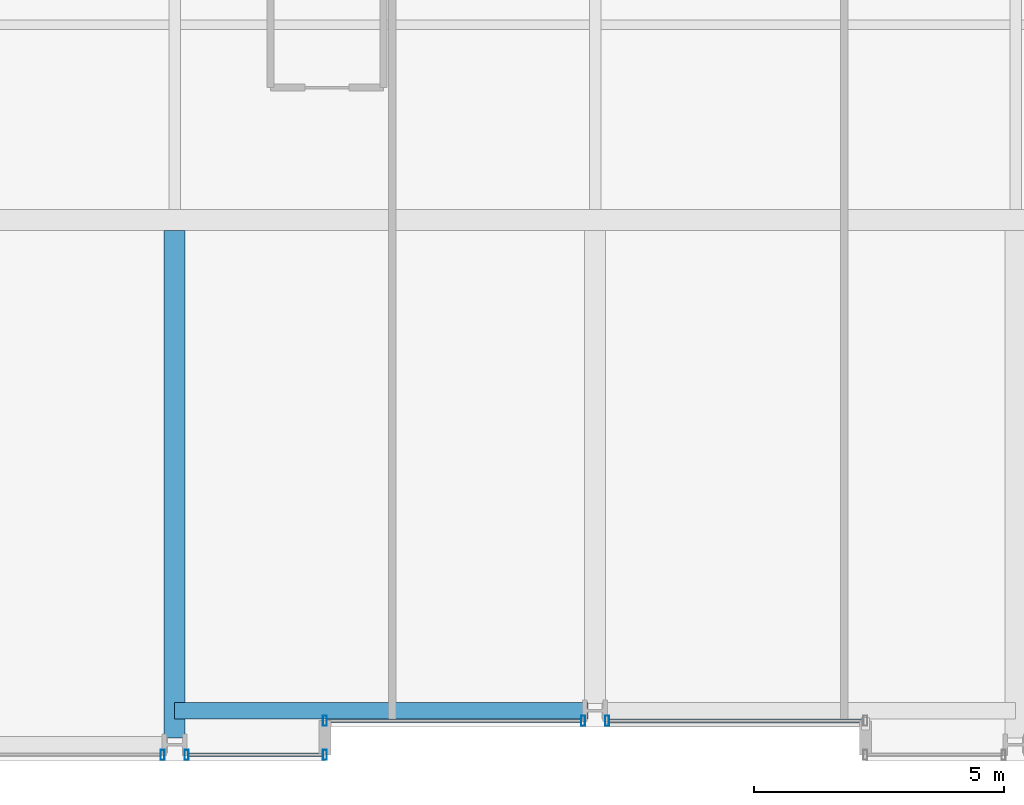
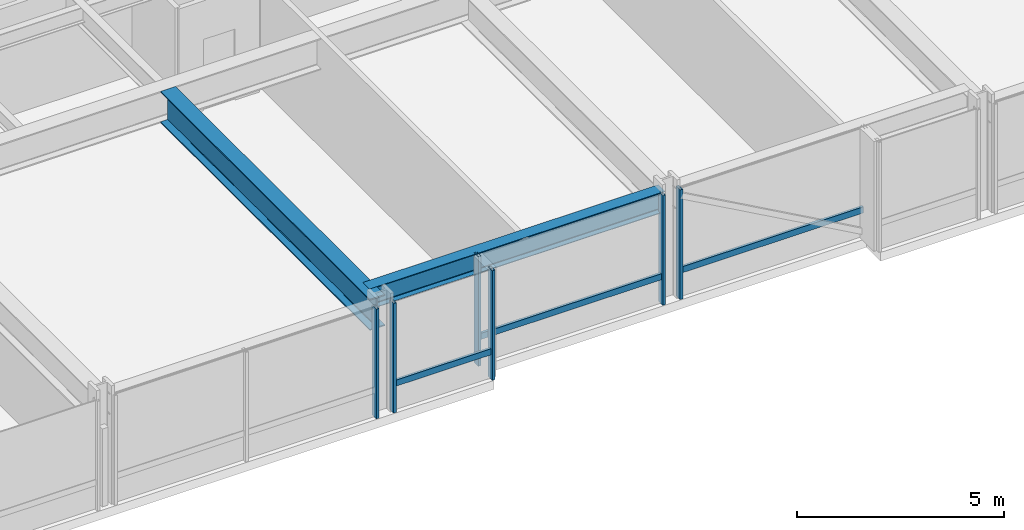
# One storey, part 5 of 37: 9 members, 2 beams, 4 elements without a shape of their own.
"""IFC4 building model written with IfcOpenShell, lengths in metres."""

from ifc_helpers import new_model, si_unit, direction, frame, origin, origin_2d, place, context, subcontext, project, spatial, hollow_rectangle, i_section, extrude, material, layer, layer_set, material_profile, profile_set, type_object, element, aggregate, save


model = new_model("IFC4")

# Units and contexts
model_context = context("Model", 3, precision=1e-05, world=origin(), true_north=direction((0.0, 1.0)))
body_context = subcontext(model_context, "Body", "Model", "MODEL_VIEW")
ifc_project = project(units=[si_unit("LENGTHUNIT", "METRE"), si_unit("AREAUNIT", "SQUARE_METRE"), si_unit("VOLUMEUNIT", "CUBIC_METRE"), si_unit("PLANEANGLEUNIT", "RADIAN"), si_unit("MASSUNIT", "GRAM", prefix="KILO")], contexts=[model_context])

# Site, building, storey
site_placement = place(None, origin())
site = spatial("IfcSite", under=ifc_project, at=site_placement, CompositionType="ELEMENT")
building_placement = place(site_placement, origin())
building = spatial("IfcBuilding", under=site, at=building_placement, Name="Drelvath Grand Hotel", CompositionType="ELEMENT")
storey_placement = place(building_placement, frame((0.0, 0.0, 43.699951171875)))
storey = spatial("IfcBuildingStorey", under=building, at=storey_placement, Name="L09", CompositionType="ELEMENT", Elevation=43.699951171875)

# Curtain wall, member
ifc_material_1 = material(Name="Warm Bronze Anodised Aluminium Frame", Category="aluminium")
ifc_layer = layer(ifc_material_1, 0.199951171875)
ifc_layer_set = layer_set([ifc_layer], Name="Warm Bronze Anodised Aluminium Frame")
curtain_wall_type = type_object("IfcCurtainWallType", Name="Stick Curtain Wall CW-02 Warm Bronze Low-Rise", PredefinedType="NOTDEFINED", material=ifc_layer_set)
curtain_wall_1_placement = place(storey_placement, origin())
curtain_wall_1 = element("IfcCurtainWall", 1, at=curtain_wall_1_placement, inside=storey, type_object=curtain_wall_type, Name="L09 CW-02 Curtain Wall CW02-L09-SM1", PredefinedType="NOTDEFINED")
ifc_material_profile_1 = material_profile(ifc_material_1, hollow_rectangle(XDim=0.074951171875, YDim=0.179931640625, WallThickness=0.0048828125, at=origin_2d()), Name="HSS180X75X5")
ifc_profile_set_1 = profile_set([ifc_material_profile_1], Name="Warm Bronze Anodised Aluminium Frame")
member_type_1 = type_object("IfcMemberType", Name="Curtain Wall Horizontal Transom CW-02 HSS180X75X5", PredefinedType="USERDEFINED", material=ifc_profile_set_1)
member_1_placement = place(storey_placement, frame((-0.281005859375, 0.800048828125, 0.81005859375), z_axis=(-1.0, 0.0, 0.0), x_axis=(0.0, -1.0, 0.0)))
member_1 = element("IfcMember", 2, at=member_1_placement, type_object=member_type_1, Name="CW02-L09-SM1 Sill Transom", ObjectType="TRANSOM", PredefinedType="USERDEFINED", context=body_context, shape_type="SweptSolid", body=[
    extrude(hollow_rectangle(XDim=0.074951171875, YDim=0.179931640625, WallThickness=0.0048828125, at=origin_2d()), origin(), (0.0, 0.0, 1.0), 5.0791015625),
])

curtain_wall_2_placement = place(storey_placement, origin())
curtain_wall_2 = element("IfcCurtainWall", 3, at=curtain_wall_2_placement, inside=storey, type_object=curtain_wall_type, Name="L09 CW-02 Curtain Wall CW02-L09-SM2", PredefinedType="NOTDEFINED")
member_2_placement = place(storey_placement, frame((5.360107421875, 0.800048828125, 0.81005859375), z_axis=(-1.0, 0.0, 0.0), x_axis=(0.0, -1.0, 0.0)))
member_2 = element("IfcMember", 4, at=member_2_placement, type_object=member_type_1, Name="CW02-L09-SM2 Sill Transom", ObjectType="TRANSOM", PredefinedType="USERDEFINED", context=body_context, shape_type="SweptSolid", body=[
    extrude(hollow_rectangle(XDim=0.074951171875, YDim=0.179931640625, WallThickness=0.0048828125, at=origin_2d()), origin(), (0.0, 0.0, 1.0), 5.0791015625),
])

curtain_wall_3_placement = place(storey_placement, origin())
curtain_wall_3 = element("IfcCurtainWall", 5, at=curtain_wall_3_placement, inside=storey, type_object=curtain_wall_type, Name="L09 CW-02 Curtain Wall CW02-L09-SW3", PredefinedType="NOTDEFINED")
member_3_placement = place(storey_placement, frame((-5.43994140625, 0.1201171875, 0.81005859375), z_axis=(-1.0, 0.0, 0.0), x_axis=(0.0, -1.0, 0.0)))
member_3 = element("IfcMember", 6, at=member_3_placement, type_object=member_type_1, Name="CW02-L09-SW3 Sill Transom", ObjectType="TRANSOM", PredefinedType="USERDEFINED", context=body_context, shape_type="SweptSolid", body=[
    extrude(hollow_rectangle(XDim=0.074951171875, YDim=0.179931640625, WallThickness=0.0048828125, at=origin_2d()), origin(), (0.0, 0.0, 1.0), 2.67919921875),
])

# Member
ifc_material_profile_2 = material_profile(ifc_material_1, hollow_rectangle(XDim=0.080078125, YDim=0.199951171875, WallThickness=0.0048828125, at=origin_2d()), Name="HSS200X80X5")
ifc_profile_set_2 = profile_set([ifc_material_profile_2], Name="Warm Bronze Anodised Aluminium Frame")
member_type_2 = type_object("IfcMemberType", Name="Curtain Wall Vertical Mullion CW-02 HSS200X80X5", PredefinedType="MULLION", material=ifc_profile_set_2)
member_4_placement = place(storey_placement, frame((-0.240966796875, 0.800048828125, 0.0), z_axis=(0.0, 0.0, 1.0), x_axis=(1.0, 0.0, 0.0)))
member_4 = element("IfcMember", 7, at=member_4_placement, type_object=member_type_2, Name="CW02-L09-SM1 Mullion 1", PredefinedType="MULLION", context=body_context, shape_type="SweptSolid", body=[
    extrude(hollow_rectangle(XDim=0.080078125, YDim=0.199951171875, WallThickness=0.0048828125, at=origin_2d()), origin(), (0.0, 0.0, 1.0), 3.239990234375),
])

member_5_placement = place(storey_placement, frame((-5.39990234375, 0.800048828125, 0.0), z_axis=(0.0, 0.0, 1.0), x_axis=(1.0, 0.0, 0.0)))
member_5 = element("IfcMember", 8, at=member_5_placement, type_object=member_type_2, Name="CW02-L09-SM1 Mullion 2", PredefinedType="MULLION", context=body_context, shape_type="SweptSolid", body=[
    extrude(hollow_rectangle(XDim=0.080078125, YDim=0.199951171875, WallThickness=0.0048828125, at=origin_2d()), origin(), (0.0, 0.0, 1.0), 3.239990234375),
])

aggregate(curtain_wall_1, [member_4, member_5, member_1])

member_6_placement = place(storey_placement, frame((0.240966796875, 0.800048828125, 0.0), z_axis=(0.0, 0.0, 1.0), x_axis=(1.0, 0.0, 0.0)))
member_6 = element("IfcMember", 9, at=member_6_placement, type_object=member_type_2, Name="CW02-L09-SM2 Mullion 2", PredefinedType="MULLION", context=body_context, shape_type="SweptSolid", body=[
    extrude(hollow_rectangle(XDim=0.080078125, YDim=0.199951171875, WallThickness=0.0048828125, at=origin_2d()), origin(), (0.0, 0.0, 1.0), 3.239990234375),
])

aggregate(curtain_wall_2, [member_6, member_2])

# Curtain wall, member
curtain_wall_4_placement = place(storey_placement, origin())
curtain_wall_4 = element("IfcCurtainWall", 10, at=curtain_wall_4_placement, inside=storey, type_object=curtain_wall_type, Name="L09 CW-02 Curtain Wall CW02-L09-SW2", PredefinedType="NOTDEFINED")
member_7_placement = place(storey_placement, frame((-8.640869140625, 0.1201171875, 0.0), z_axis=(0.0, 0.0, 1.0), x_axis=(1.0, 0.0, 0.0)))
member_7 = element("IfcMember", 11, at=member_7_placement, type_object=member_type_2, Name="CW02-L09-SW2 Mullion 1", PredefinedType="MULLION", context=body_context, shape_type="SweptSolid", body=[
    extrude(hollow_rectangle(XDim=0.080078125, YDim=0.199951171875, WallThickness=0.0048828125, at=origin_2d()), origin(), (0.0, 0.0, 1.0), 3.239990234375),
])
aggregate(curtain_wall_4, [member_7])

# Member
member_8_placement = place(storey_placement, frame((-5.39990234375, 0.1201171875, 0.0), z_axis=(0.0, 0.0, 1.0), x_axis=(1.0, 0.0, 0.0)))
member_8 = element("IfcMember", 12, at=member_8_placement, type_object=member_type_2, Name="CW02-L09-SW3 Mullion 1", PredefinedType="MULLION", context=body_context, shape_type="SweptSolid", body=[
    extrude(hollow_rectangle(XDim=0.080078125, YDim=0.199951171875, WallThickness=0.0048828125, at=origin_2d()), origin(), (0.0, 0.0, 1.0), 3.239990234375),
])

member_9_placement = place(storey_placement, frame((-8.1591796875, 0.1201171875, 0.0), z_axis=(0.0, 0.0, 1.0), x_axis=(1.0, 0.0, 0.0)))
member_9 = element("IfcMember", 13, at=member_9_placement, type_object=member_type_2, Name="CW02-L09-SW3 Mullion 2", PredefinedType="MULLION", context=body_context, shape_type="SweptSolid", body=[
    extrude(hollow_rectangle(XDim=0.080078125, YDim=0.199951171875, WallThickness=0.0048828125, at=origin_2d()), origin(), (0.0, 0.0, 1.0), 3.239990234375),
])

aggregate(curtain_wall_3, [member_8, member_9, member_3])

# Beams
ifc_material_2 = material(Name="Steel ASTM A992 Gr 50", Category="steel")
ifc_material_profile_3 = material_profile(ifc_material_2, i_section(OverallWidth=0.323974609375, OverallDepth=0.611083984375, WebThickness=0.0126953125, FlangeThickness=0.01904296875, FilletRadius=0.02197265625, at=origin_2d()), Name="W24X104")
ifc_profile_set_3 = profile_set([ifc_material_profile_3], Name="Steel ASTM A992 Gr 50")
beam_type_1 = type_object("IfcBeamType", Name="Perimeter Spandrel Beam W24X104", PredefinedType="SPANDREL", material=ifc_profile_set_3)
beam_1_placement = place(storey_placement, frame((-8.39990234375, 1.0, 2.9345703125), z_axis=(1.0, 0.0, 0.0), x_axis=(0.0, 1.0, 0.0)))
element("IfcBeam", 14, at=beam_1_placement, inside=storey, type_object=beam_type_1, Name="L09 Spandrel South Mid W", PredefinedType="SPANDREL", context=body_context, shape_type="SweptSolid", body=[
    extrude(i_section(OverallWidth=0.323974609375, OverallDepth=0.611083984375, WebThickness=0.0126953125, FlangeThickness=0.01904296875, FilletRadius=0.02197265625, at=origin_2d()), origin(), (0.0, 0.0, 1.0), 8.260009765625),
])
ifc_material_profile_4 = material_profile(ifc_material_2, i_section(OverallWidth=0.418212890625, OverallDepth=0.926513671875, WebThickness=0.019287109375, FlangeThickness=0.031982421875, FilletRadius=0.028076171875, at=origin_2d()), Name="W36X231")
ifc_profile_set_4 = profile_set([ifc_material_profile_4], Name="Steel ASTM A992 Gr 50")
beam_type_2 = type_object("IfcBeamType", Name="Primary Floor Girder W36X231", PredefinedType="BEAM", material=ifc_profile_set_4)
beam_2_placement = place(storey_placement, frame((-8.39990234375, 0.4599609375, 2.77685546875), z_axis=(0.0, 1.0, 0.0), x_axis=(-1.0, 0.0, 0.0)))
element("IfcBeam", 15, at=beam_2_placement, inside=storey, type_object=beam_type_2, Name="L09 South Wing Girder 4", PredefinedType="BEAM", context=body_context, shape_type="SweptSolid", body=[
    extrude(i_section(OverallWidth=0.418212890625, OverallDepth=0.926513671875, WebThickness=0.019287109375, FlangeThickness=0.031982421875, FilletRadius=0.028076171875, at=origin_2d()), origin(), (0.0, 0.0, 1.0), 10.130859375),
])

save(model, "model.ifc")
